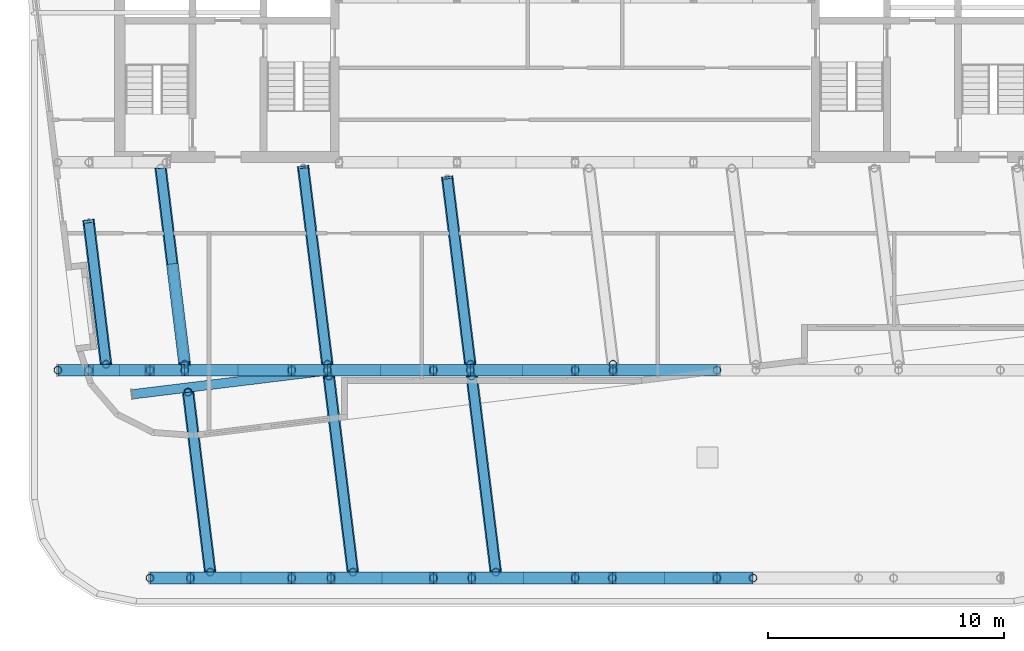
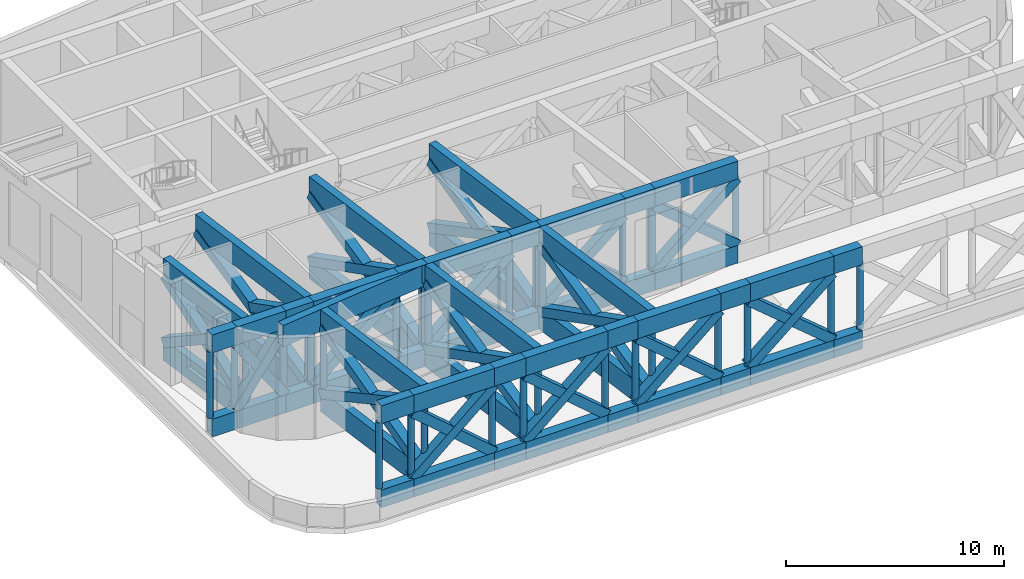
# One storey, part 1 of 16: 64 members, 53 beams.
"""IFC4 building model written with IfcOpenShell, lengths in metres."""

from ifc_helpers import new_model, si_unit, direction, frame, origin, origin_2d, place, context, subcontext, project, spatial, hollow_rectangle, hollow_circle, extrude, material, material_profile, profile_set, type_object, element, save


model = new_model("IFC4")

# Units and contexts
model_context = context("Model", 3, precision=1e-05, world=origin(), true_north=direction((0.0, 1.0)))
body_context = subcontext(model_context, "Body", "Model", "MODEL_VIEW")
ifc_project = project(units=[si_unit("LENGTHUNIT", "METRE"), si_unit("AREAUNIT", "SQUARE_METRE"), si_unit("VOLUMEUNIT", "CUBIC_METRE"), si_unit("PLANEANGLEUNIT", "RADIAN"), si_unit("MASSUNIT", "GRAM", prefix="KILO")], contexts=[model_context])

# Site, building, storey
site_placement = place(None, origin())
site = spatial("IfcSite", under=ifc_project, at=site_placement, CompositionType="ELEMENT")
building_placement = place(site_placement, origin())
building = spatial("IfcBuilding", under=site, at=building_placement, Name="Torana Hotel and Residences", CompositionType="ELEMENT")
storey_placement = place(building_placement, frame((0.0, 0.0, 308.60009765625)))
storey = spatial("IfcBuildingStorey", under=building, at=storey_placement, Name="L82", CompositionType="ELEMENT", Elevation=308.60009765625)

# Beams
ifc_material_1 = material(Name="Steel S355", Category="steel")
ifc_material_profile_1 = material_profile(ifc_material_1, hollow_rectangle(XDim=0.5, YDim=1.0, WallThickness=0.050048828125, at=origin_2d()), Name="BOX 1000x500x50")
ifc_profile_set_1 = profile_set([ifc_material_profile_1], Name="Steel S355")
beam_type_1 = type_object("IfcBeamType", Name="STEEL CHORD BOX 1000x500x50", PredefinedType="BEAM", material=ifc_profile_set_1)
for number, where, z_axis, x_axis, name in (
    (1, (-18.0, -32.60009765625, 0.5), (1.0, 0.0, 0.0), (0.0, 1.0, 0.0), "Transfer chord L82"),
    (2, (-18.0, -32.60009765625, 5.219970703125), (1.0, 0.0, 0.0), (0.0, 1.0, 0.0), "Transfer chord L82"),
):
    element("IfcBeam", number, at=place(storey_placement, frame(where, z_axis=z_axis, x_axis=x_axis)), inside=storey, type_object=beam_type_1, Name=name, PredefinedType="BEAM", context=body_context, shape_type="SweptSolid", body=[
        extrude(hollow_rectangle(XDim=0.5, YDim=1.0, WallThickness=0.050048828125, at=origin_2d()), origin(), (0.0, 0.0, 1.0), 1.7060546875),
    ])
for number, where, z_axis, x_axis, name in (
    (3, (-16.2939453125, -32.60009765625, 0.5), (1.0, 0.0, 0.0), (0.0, 1.0, 0.0), "Transfer chord L82"),
    (4, (-16.2939453125, -32.60009765625, 5.219970703125), (1.0, 0.0, 0.0), (0.0, 1.0, 0.0), "Transfer chord L82"),
):
    element("IfcBeam", number, at=place(storey_placement, frame(where, z_axis=z_axis, x_axis=x_axis)), inside=storey, type_object=beam_type_1, Name=name, PredefinedType="BEAM", context=body_context, shape_type="SweptSolid", body=[
        extrude(hollow_rectangle(XDim=0.5, YDim=1.0, WallThickness=0.050048828125, at=origin_2d()), origin(), (0.0, 0.0, 1.0), 4.2939453125),
    ])
for number, where, z_axis, x_axis, name in (
    (5, (-12.0, -32.60009765625, 0.5), (1.0, 0.0, 0.0), (0.0, 1.0, 0.0), "Transfer chord L82"),
    (6, (-12.0, -32.60009765625, 5.219970703125), (1.0, 0.0, 0.0), (0.0, 1.0, 0.0), "Transfer chord L82"),
):
    element("IfcBeam", number, at=place(storey_placement, frame(where, z_axis=z_axis, x_axis=x_axis)), inside=storey, type_object=beam_type_1, Name=name, PredefinedType="BEAM", context=body_context, shape_type="SweptSolid", body=[
        extrude(hollow_rectangle(XDim=0.5, YDim=1.0, WallThickness=0.050048828125, at=origin_2d()), origin(), (0.0, 0.0, 1.0), 1.662109375),
    ])
for number, where, z_axis, x_axis, name in (
    (7, (-10.337890625, -32.60009765625, 0.5), (1.0, 0.0, 0.0), (0.0, 1.0, 0.0), "Transfer chord L82"),
    (8, (-10.337890625, -32.60009765625, 5.219970703125), (1.0, 0.0, 0.0), (0.0, 1.0, 0.0), "Transfer chord L82"),
):
    element("IfcBeam", number, at=place(storey_placement, frame(where, z_axis=z_axis, x_axis=x_axis)), inside=storey, type_object=beam_type_1, Name=name, PredefinedType="BEAM", context=body_context, shape_type="SweptSolid", body=[
        extrude(hollow_rectangle(XDim=0.5, YDim=1.0, WallThickness=0.050048828125, at=origin_2d()), origin(), (0.0, 0.0, 1.0), 4.337890625),
    ])
for number, where, z_axis, x_axis, name in (
    (9, (-6.0, -32.60009765625, 0.5), (1.0, 0.0, 0.0), (0.0, 1.0, 0.0), "Transfer chord L82"),
    (10, (-6.0, -32.60009765625, 5.219970703125), (1.0, 0.0, 0.0), (0.0, 1.0, 0.0), "Transfer chord L82"),
):
    element("IfcBeam", number, at=place(storey_placement, frame(where, z_axis=z_axis, x_axis=x_axis)), inside=storey, type_object=beam_type_1, Name=name, PredefinedType="BEAM", context=body_context, shape_type="SweptSolid", body=[
        extrude(hollow_rectangle(XDim=0.5, YDim=1.0, WallThickness=0.050048828125, at=origin_2d()), origin(), (0.0, 0.0, 1.0), 1.616943359375),
    ])
for number, where, z_axis, x_axis, name in (
    (11, (-4.383056640625, -32.60009765625, 0.5), (1.0, 0.0, 0.0), (0.0, 1.0, 0.0), "Transfer chord L82"),
    (12, (-4.383056640625, -32.60009765625, 5.219970703125), (1.0, 0.0, 0.0), (0.0, 1.0, 0.0), "Transfer chord L82"),
):
    element("IfcBeam", number, at=place(storey_placement, frame(where, z_axis=z_axis, x_axis=x_axis)), inside=storey, type_object=beam_type_1, Name=name, PredefinedType="BEAM", context=body_context, shape_type="SweptSolid", body=[
        extrude(hollow_rectangle(XDim=0.5, YDim=1.0, WallThickness=0.050048828125, at=origin_2d()), origin(), (0.0, 0.0, 1.0), 4.383056640625),
    ])
for number, where, z_axis, x_axis, name in (
    (13, (0.0, -32.60009765625, 0.5), (1.0, 0.0, 0.0), (0.0, 1.0, 0.0), "Transfer chord L82"),
    (14, (0.0, -32.60009765625, 5.219970703125), (1.0, 0.0, 0.0), (0.0, 1.0, 0.0), "Transfer chord L82"),
):
    element("IfcBeam", number, at=place(storey_placement, frame(where, z_axis=z_axis, x_axis=x_axis)), inside=storey, type_object=beam_type_1, Name=name, PredefinedType="BEAM", context=body_context, shape_type="SweptSolid", body=[
        extrude(hollow_rectangle(XDim=0.5, YDim=1.0, WallThickness=0.050048828125, at=origin_2d()), origin(), (0.0, 0.0, 1.0), 1.572021484375),
    ])
for number, where, z_axis, x_axis, name in (
    (15, (1.572021484375, -32.60009765625, 0.5), (1.0, 0.0, 0.0), (0.0, 1.0, 0.0), "Transfer chord L82"),
    (16, (1.572021484375, -32.60009765625, 5.219970703125), (1.0, 0.0, 0.0), (0.0, 1.0, 0.0), "Transfer chord L82"),
):
    element("IfcBeam", number, at=place(storey_placement, frame(where, z_axis=z_axis, x_axis=x_axis)), inside=storey, type_object=beam_type_1, Name=name, PredefinedType="BEAM", context=body_context, shape_type="SweptSolid", body=[
        extrude(hollow_rectangle(XDim=0.5, YDim=1.0, WallThickness=0.050048828125, at=origin_2d()), origin(), (0.0, 0.0, 1.0), 4.427978515625),
    ])
for number, where, z_axis, x_axis, name in (
    (17, (6.0, -32.60009765625, 0.5), (1.0, 0.0, 0.0), (0.0, 1.0, 0.0), "Transfer chord L82"),
    (18, (6.0, -32.60009765625, 5.219970703125), (1.0, 0.0, 0.0), (0.0, 1.0, 0.0), "Transfer chord L82"),
):
    element("IfcBeam", number, at=place(storey_placement, frame(where, z_axis=z_axis, x_axis=x_axis)), inside=storey, type_object=beam_type_1, Name=name, PredefinedType="BEAM", context=body_context, shape_type="SweptSolid", body=[
        extrude(hollow_rectangle(XDim=0.5, YDim=1.0, WallThickness=0.050048828125, at=origin_2d()), origin(), (0.0, 0.0, 1.0), 1.527099609375),
    ])
for number, where, z_axis, x_axis, name in (
    (19, (-21.89990234375, -23.800048828125, 0.5), (1.0, 0.0, 0.0), (0.0, 1.0, 0.0), "Transfer chord L82"),
    (20, (-21.89990234375, -23.800048828125, 5.219970703125), (1.0, 0.0, 0.0), (0.0, 1.0, 0.0), "Transfer chord L82"),
):
    element("IfcBeam", number, at=place(storey_placement, frame(where, z_axis=z_axis, x_axis=x_axis)), inside=storey, type_object=beam_type_1, Name=name, PredefinedType="BEAM", context=body_context, shape_type="SweptSolid", body=[
        extrude(hollow_rectangle(XDim=0.5, YDim=1.0, WallThickness=0.050048828125, at=origin_2d()), origin(), (0.0, 0.0, 1.0), 1.306884765625),
    ])
for number, where, z_axis, x_axis, name in (
    (21, (-20.593017578125, -23.800048828125, 0.5), (1.0, 0.0, 0.0), (0.0, 1.0, 0.0), "Transfer chord L82"),
    (22, (-20.593017578125, -23.800048828125, 5.219970703125), (1.0, 0.0, 0.0), (0.0, 1.0, 0.0), "Transfer chord L82"),
):
    element("IfcBeam", number, at=place(storey_placement, frame(where, z_axis=z_axis, x_axis=x_axis)), inside=storey, type_object=beam_type_1, Name=name, PredefinedType="BEAM", context=body_context, shape_type="SweptSolid", body=[
        extrude(hollow_rectangle(XDim=0.5, YDim=1.0, WallThickness=0.050048828125, at=origin_2d()), origin(), (0.0, 0.0, 1.0), 2.593017578125),
    ])
for number, where, z_axis, x_axis, name in (
    (23, (-18.0, -23.800048828125, 0.5), (1.0, 0.0, 0.0), (0.0, 1.0, 0.0), "Transfer chord L82"),
    (24, (-18.0, -23.800048828125, 5.219970703125), (1.0, 0.0, 0.0), (0.0, 1.0, 0.0), "Transfer chord L82"),
):
    element("IfcBeam", number, at=place(storey_placement, frame(where, z_axis=z_axis, x_axis=x_axis)), inside=storey, type_object=beam_type_1, Name=name, PredefinedType="BEAM", context=body_context, shape_type="SweptSolid", body=[
        extrude(hollow_rectangle(XDim=0.5, YDim=1.0, WallThickness=0.050048828125, at=origin_2d()), origin(), (0.0, 0.0, 1.0), 1.468994140625),
    ])
for number, where, z_axis, x_axis, name in (
    (25, (-16.531005859375, -23.800048828125, 0.5), (1.0, 0.0, 0.0), (0.0, 1.0, 0.0), "Transfer chord L82"),
    (26, (-16.531005859375, -23.800048828125, 5.219970703125), (1.0, 0.0, 0.0), (0.0, 1.0, 0.0), "Transfer chord L82"),
):
    element("IfcBeam", number, at=place(storey_placement, frame(where, z_axis=z_axis, x_axis=x_axis)), inside=storey, type_object=beam_type_1, Name=name, PredefinedType="BEAM", context=body_context, shape_type="SweptSolid", body=[
        extrude(hollow_rectangle(XDim=0.5, YDim=1.0, WallThickness=0.050048828125, at=origin_2d()), origin(), (0.0, 0.0, 1.0), 4.531005859375),
    ])
for number, where, z_axis, x_axis, name in (
    (27, (-12.0, -23.800048828125, 0.5), (1.0, 0.0, 0.0), (0.0, 1.0, 0.0), "Transfer chord L82"),
    (28, (-12.0, -23.800048828125, 5.219970703125), (1.0, 0.0, 0.0), (0.0, 1.0, 0.0), "Transfer chord L82"),
):
    element("IfcBeam", number, at=place(storey_placement, frame(where, z_axis=z_axis, x_axis=x_axis)), inside=storey, type_object=beam_type_1, Name=name, PredefinedType="BEAM", context=body_context, shape_type="SweptSolid", body=[
        extrude(hollow_rectangle(XDim=0.5, YDim=1.0, WallThickness=0.050048828125, at=origin_2d()), origin(), (0.0, 0.0, 1.0), 1.509033203125),
    ])
for number, where, z_axis, x_axis, name in (
    (29, (-10.490966796875, -23.800048828125, 0.5), (1.0, 0.0, 0.0), (0.0, 1.0, 0.0), "Transfer chord L82"),
    (30, (-10.490966796875, -23.800048828125, 5.219970703125), (1.0, 0.0, 0.0), (0.0, 1.0, 0.0), "Transfer chord L82"),
):
    element("IfcBeam", number, at=place(storey_placement, frame(where, z_axis=z_axis, x_axis=x_axis)), inside=storey, type_object=beam_type_1, Name=name, PredefinedType="BEAM", context=body_context, shape_type="SweptSolid", body=[
        extrude(hollow_rectangle(XDim=0.5, YDim=1.0, WallThickness=0.050048828125, at=origin_2d()), origin(), (0.0, 0.0, 1.0), 4.490966796875),
    ])
for number, where, z_axis, x_axis, name in (
    (31, (-6.0, -23.800048828125, 0.5), (1.0, 0.0, 0.0), (0.0, 1.0, 0.0), "Transfer chord L82"),
    (32, (-6.0, -23.800048828125, 5.219970703125), (1.0, 0.0, 0.0), (0.0, 1.0, 0.0), "Transfer chord L82"),
):
    element("IfcBeam", number, at=place(storey_placement, frame(where, z_axis=z_axis, x_axis=x_axis)), inside=storey, type_object=beam_type_1, Name=name, PredefinedType="BEAM", context=body_context, shape_type="SweptSolid", body=[
        extrude(hollow_rectangle(XDim=0.5, YDim=1.0, WallThickness=0.050048828125, at=origin_2d()), origin(), (0.0, 0.0, 1.0), 1.55908203125),
    ])
for number, where, z_axis, x_axis, name in (
    (33, (-4.44091796875, -23.800048828125, 0.5), (1.0, 0.0, 0.0), (0.0, 1.0, 0.0), "Transfer chord L82"),
    (34, (-4.44091796875, -23.800048828125, 5.219970703125), (1.0, 0.0, 0.0), (0.0, 1.0, 0.0), "Transfer chord L82"),
):
    element("IfcBeam", number, at=place(storey_placement, frame(where, z_axis=z_axis, x_axis=x_axis)), inside=storey, type_object=beam_type_1, Name=name, PredefinedType="BEAM", context=body_context, shape_type="SweptSolid", body=[
        extrude(hollow_rectangle(XDim=0.5, YDim=1.0, WallThickness=0.050048828125, at=origin_2d()), origin(), (0.0, 0.0, 1.0), 4.44091796875),
    ])
for number, where, z_axis, x_axis, name in (
    (35, (0.0, -23.800048828125, 0.5), (1.0, 0.0, 0.0), (0.0, 1.0, 0.0), "Transfer chord L82"),
    (36, (0.0, -23.800048828125, 5.219970703125), (1.0, 0.0, 0.0), (0.0, 1.0, 0.0), "Transfer chord L82"),
):
    element("IfcBeam", number, at=place(storey_placement, frame(where, z_axis=z_axis, x_axis=x_axis)), inside=storey, type_object=beam_type_1, Name=name, PredefinedType="BEAM", context=body_context, shape_type="SweptSolid", body=[
        extrude(hollow_rectangle(XDim=0.5, YDim=1.0, WallThickness=0.050048828125, at=origin_2d()), origin(), (0.0, 0.0, 1.0), 1.59912109375),
    ])
for number, where, z_axis, x_axis, name in (
    (37, (1.59912109375, -23.800048828125, 0.5), (1.0, 0.0, 0.0), (0.0, 1.0, 0.0), "Transfer chord L82"),
    (38, (1.59912109375, -23.800048828125, 5.219970703125), (1.0, 0.0, 0.0), (0.0, 1.0, 0.0), "Transfer chord L82"),
):
    element("IfcBeam", number, at=place(storey_placement, frame(where, z_axis=z_axis, x_axis=x_axis)), inside=storey, type_object=beam_type_1, Name=name, PredefinedType="BEAM", context=body_context, shape_type="SweptSolid", body=[
        extrude(hollow_rectangle(XDim=0.5, YDim=1.0, WallThickness=0.050048828125, at=origin_2d()), origin(), (0.0, 0.0, 1.0), 4.40087890625),
    ])
ifc_material_2 = material(Name="Steel S355", Category="steel")
ifc_material_profile_2 = material_profile(ifc_material_2, hollow_rectangle(XDim=0.39990234375, YDim=1.199951171875, WallThickness=0.0400390625, at=origin_2d()), Name="BOX 1200x400x40")
ifc_profile_set_2 = profile_set([ifc_material_profile_2], Name="Steel S355")
beam_type_2 = type_object("IfcBeamType", Name="STEEL CHORD BOX 1200x400x40", PredefinedType="BEAM", material=ifc_profile_set_2)
for number, where, z_axis, x_axis, name in (
    (39, (-19.860107421875, -23.550048828125, 0.599853515625), (-0.120971726112, 0.992655953229, 0.0), (-0.992655953229, -0.120971726112, 0.0), "Transfer chord L82"),
    (40, (-19.860107421875, -23.550048828125, 5.119873046875), (-0.120971726112, 0.992655953229, 0.0), (-0.992655953229, -0.120971726112, 0.0), "Transfer chord L82"),
):
    element("IfcBeam", number, at=place(storey_placement, frame(where, z_axis=z_axis, x_axis=x_axis)), inside=storey, type_object=beam_type_2, Name=name, PredefinedType="BEAM", context=body_context, shape_type="SweptSolid", body=[
        extrude(hollow_rectangle(XDim=0.39990234375, YDim=1.199951171875, WallThickness=0.0400390625, at=origin_2d()), origin(), (0.0, 0.0, 1.0), 6.034423828125),
    ])
for number, where, z_axis, x_axis, name in (
    (41, (-15.450927734375, -32.35009765625, 0.599853515625), (-0.121751053771, 0.992560668627, 0.0), (-0.992560668627, -0.121751053771, 0.0), "Transfer chord L82"),
    (42, (-15.450927734375, -32.35009765625, 5.119873046875), (-0.121751053771, 0.992560668627, 0.0), (-0.992560668627, -0.121751053771, 0.0), "Transfer chord L82"),
):
    element("IfcBeam", number, at=place(storey_placement, frame(where, z_axis=z_axis, x_axis=x_axis)), inside=storey, type_object=beam_type_2, Name=name, PredefinedType="BEAM", context=body_context, shape_type="SweptSolid", body=[
        extrude(hollow_rectangle(XDim=0.39990234375, YDim=1.199951171875, WallThickness=0.0400390625, at=origin_2d()), origin(), (0.0, 0.0, 1.0), 7.672119140625),
    ])
for number, where, z_axis, x_axis, name in (
    (43, (-16.531005859375, -23.550048828125, 0.599853515625), (-0.121745472917, 0.992561353179, 0.0), (-0.992561353179, -0.121745472917, 0.0), "Transfer chord L82"),
    (44, (-16.531005859375, -23.550048828125, 5.119873046875), (-0.121745472917, 0.992561353179, 0.0), (-0.992561353179, -0.121745472917, 0.0), "Transfer chord L82"),
    (45, (-9.410888671875, -32.35009765625, 0.599853515625), (-0.121745472917, 0.992561353179, 0.0), (-0.992561353179, -0.121745472917, 0.0), "Transfer chord L82"),
    (46, (-9.410888671875, -32.35009765625, 5.119873046875), (-0.121745472917, 0.992561353179, 0.0), (-0.992561353179, -0.121745472917, 0.0), "Transfer chord L82"),
    (47, (-10.490966796875, -23.550048828125, 0.599853515625), (-0.121745472917, 0.992561353179, 0.0), (-0.992561353179, -0.121745472917, 0.0), "Transfer chord L82"),
    (48, (-10.490966796875, -23.550048828125, 5.119873046875), (-0.121745472917, 0.992561353179, 0.0), (-0.992561353179, -0.121745472917, 0.0), "Transfer chord L82"),
    (49, (-3.361083984375, -32.35009765625, 0.599853515625), (-0.121716709942, 0.992564880761, 0.0), (-0.992564880761, -0.121716709942, 0.0), "Transfer chord L82"),
    (50, (-3.361083984375, -32.35009765625, 5.119873046875), (-0.121716709942, 0.992564880761, 0.0), (-0.992564880761, -0.121716709942, 0.0), "Transfer chord L82"),
):
    element("IfcBeam", number, at=place(storey_placement, frame(where, z_axis=z_axis, x_axis=x_axis)), inside=storey, type_object=beam_type_2, Name=name, PredefinedType="BEAM", context=body_context, shape_type="SweptSolid", body=[
        extrude(hollow_rectangle(XDim=0.39990234375, YDim=1.199951171875, WallThickness=0.0400390625, at=origin_2d()), origin(), (0.0, 0.0, 1.0), 8.3623046875),
    ])
for number, where, z_axis, x_axis, name in (
    (51, (-4.44091796875, -23.550048828125, 0.599853515625), (-0.122507429549, 0.9924675963, 0.0), (-0.9924675963, -0.122507429549, 0.0), "Transfer chord L82"),
    (52, (-4.44091796875, -23.550048828125, 5.119873046875), (-0.122507429549, 0.9924675963, 0.0), (-0.9924675963, -0.122507429549, 0.0), "Transfer chord L82"),
):
    element("IfcBeam", number, at=place(storey_placement, frame(where, z_axis=z_axis, x_axis=x_axis)), inside=storey, type_object=beam_type_2, Name=name, PredefinedType="BEAM", context=body_context, shape_type="SweptSolid", body=[
        extrude(hollow_rectangle(XDim=0.39990234375, YDim=1.199951171875, WallThickness=0.0400390625, at=origin_2d()), origin(), (0.0, 0.0, 1.0), 7.90966796875),
    ])
beam_placement = place(storey_placement, frame((-18.72998046875, -24.820068359375, 5.119873046875), z_axis=(0.992624649094, 0.121228321819, 0.0), x_axis=(-0.121228321819, 0.992624649094, 0.0)))
element("IfcBeam", 53, at=beam_placement, inside=storey, type_object=beam_type_2, Name="Transfer link L82", PredefinedType="BEAM", context=body_context, shape_type="SweptSolid", body=[
    extrude(hollow_rectangle(XDim=0.39990234375, YDim=1.199951171875, WallThickness=0.0400390625, at=origin_2d()), origin(), (0.0, 0.0, 1.0), 8.33154296875),
])

# Members
ifc_material_3 = material(Name="Steel S355", Category="steel")
ifc_material_profile_3 = material_profile(ifc_material_3, hollow_rectangle(XDim=0.5, YDim=0.5, WallThickness=0.0400390625, at=origin_2d()), Name="BOX 500x500x40")
ifc_profile_set_3 = profile_set([ifc_material_profile_3], Name="Steel S355")
member_type_1 = type_object("IfcMemberType", Name="STEEL DIAGONAL BOX 500x500x40", PredefinedType="BRACE", material=ifc_profile_set_3)
for number, where, z_axis, x_axis, name in (
    (54, (-16.2939453125, -32.60009765625, 1.0), (0.755815262073, 0.0, 0.654784918593), (0.0, 1.0, 0.0), "Truss diagonal L82"),
    (55, (-12.0, -32.60009765625, 1.0), (-0.755815262073, 0.0, 0.654784918593), (0.0, -1.0, 0.0), "Truss diagonal L82"),
):
    element("IfcMember", number, at=place(storey_placement, frame(where, z_axis=z_axis, x_axis=x_axis)), inside=storey, type_object=member_type_1, Name=name, PredefinedType="BRACE", context=body_context, shape_type="SweptSolid", body=[
        extrude(hollow_rectangle(XDim=0.5, YDim=0.5, WallThickness=0.0400390625, at=origin_2d()), origin(), (0.0, 0.0, 1.0), 5.68115234375),
    ])
for number, where, z_axis, x_axis, name in (
    (56, (-10.337890625, -32.60009765625, 1.0), (0.759102778258, 0.0, 0.650970792003), (0.0, 1.0, 0.0), "Truss diagonal L82"),
    (57, (-6.0, -32.60009765625, 1.0), (-0.759102778258, 0.0, 0.650970792003), (0.0, -1.0, 0.0), "Truss diagonal L82"),
):
    element("IfcMember", number, at=place(storey_placement, frame(where, z_axis=z_axis, x_axis=x_axis)), inside=storey, type_object=member_type_1, Name=name, PredefinedType="BRACE", context=body_context, shape_type="SweptSolid", body=[
        extrude(hollow_rectangle(XDim=0.5, YDim=0.5, WallThickness=0.0400390625, at=origin_2d()), origin(), (0.0, 0.0, 1.0), 5.714599609375),
    ])
for number, where, z_axis, x_axis, name in (
    (58, (-4.383056640625, -32.60009765625, 1.0), (0.762422152509, 0.0, 0.647079949746), (0.0, 1.0, 0.0), "Truss diagonal L82"),
    (59, (0.0, -32.60009765625, 1.0), (-0.762422152509, 0.0, 0.647079949746), (0.0, -1.0, 0.0), "Truss diagonal L82"),
):
    element("IfcMember", number, at=place(storey_placement, frame(where, z_axis=z_axis, x_axis=x_axis)), inside=storey, type_object=member_type_1, Name=name, PredefinedType="BRACE", context=body_context, shape_type="SweptSolid", body=[
        extrude(hollow_rectangle(XDim=0.5, YDim=0.5, WallThickness=0.0400390625, at=origin_2d()), origin(), (0.0, 0.0, 1.0), 5.748779296875),
    ])
for number, where, z_axis, x_axis, name in (
    (60, (1.572021484375, -32.60009765625, 1.0), (0.765664944592, 0.0, 0.643239607474), (0.0, 1.0, 0.0), "Truss diagonal L82"),
    (61, (6.0, -32.60009765625, 1.0), (-0.765664944592, 0.0, 0.643239607474), (0.0, -1.0, 0.0), "Truss diagonal L82"),
):
    element("IfcMember", number, at=place(storey_placement, frame(where, z_axis=z_axis, x_axis=x_axis)), inside=storey, type_object=member_type_1, Name=name, PredefinedType="BRACE", context=body_context, shape_type="SweptSolid", body=[
        extrude(hollow_rectangle(XDim=0.5, YDim=0.5, WallThickness=0.0400390625, at=origin_2d()), origin(), (0.0, 0.0, 1.0), 5.783203125),
    ])
for number, where, z_axis, x_axis, name in (
    (62, (-20.593017578125, -23.800048828125, 1.0), (0.571838781168, 0.0, 0.820366020964), (0.0, 1.0, 0.0), "Truss diagonal L82"),
    (63, (-18.0, -23.800048828125, 1.0), (-0.571838781168, 0.0, 0.820366020964), (0.0, -1.0, 0.0), "Truss diagonal L82"),
):
    element("IfcMember", number, at=place(storey_placement, frame(where, z_axis=z_axis, x_axis=x_axis)), inside=storey, type_object=member_type_1, Name=name, PredefinedType="BRACE", context=body_context, shape_type="SweptSolid", body=[
        extrude(hollow_rectangle(XDim=0.5, YDim=0.5, WallThickness=0.0400390625, at=origin_2d()), origin(), (0.0, 0.0, 1.0), 4.534423828125),
    ])
for number, where, z_axis, x_axis, name in (
    (64, (-16.531005859375, -23.800048828125, 1.0), (0.772887448913, 0.0, 0.634543135896), (0.0, 1.0, 0.0), "Truss diagonal L82"),
    (65, (-12.0, -23.800048828125, 1.0), (-0.772887448913, 0.0, 0.634543135896), (0.0, -1.0, 0.0), "Truss diagonal L82"),
):
    element("IfcMember", number, at=place(storey_placement, frame(where, z_axis=z_axis, x_axis=x_axis)), inside=storey, type_object=member_type_1, Name=name, PredefinedType="BRACE", context=body_context, shape_type="SweptSolid", body=[
        extrude(hollow_rectangle(XDim=0.5, YDim=0.5, WallThickness=0.0400390625, at=origin_2d()), origin(), (0.0, 0.0, 1.0), 5.862548828125),
    ])
for number, where, z_axis, x_axis, name in (
    (66, (-10.490966796875, -23.800048828125, 1.0), (0.770115577639, 0.0, 0.63790437926), (0.0, 1.0, 0.0), "Truss diagonal L82"),
    (67, (-6.0, -23.800048828125, 1.0), (-0.770115577639, 0.0, 0.63790437926), (0.0, -1.0, 0.0), "Truss diagonal L82"),
):
    element("IfcMember", number, at=place(storey_placement, frame(where, z_axis=z_axis, x_axis=x_axis)), inside=storey, type_object=member_type_1, Name=name, PredefinedType="BRACE", context=body_context, shape_type="SweptSolid", body=[
        extrude(hollow_rectangle(XDim=0.5, YDim=0.5, WallThickness=0.0400390625, at=origin_2d()), origin(), (0.0, 0.0, 1.0), 5.83154296875),
    ])
for number, where, z_axis, x_axis, name in (
    (68, (-4.44091796875, -23.800048828125, 1.0), (0.76658832234, 0.0, 0.642138882215), (0.0, 1.0, 0.0), "Truss diagonal L82"),
    (69, (0.0, -23.800048828125, 1.0), (-0.76658832234, 0.0, 0.642138882215), (0.0, -1.0, 0.0), "Truss diagonal L82"),
):
    element("IfcMember", number, at=place(storey_placement, frame(where, z_axis=z_axis, x_axis=x_axis)), inside=storey, type_object=member_type_1, Name=name, PredefinedType="BRACE", context=body_context, shape_type="SweptSolid", body=[
        extrude(hollow_rectangle(XDim=0.5, YDim=0.5, WallThickness=0.0400390625, at=origin_2d()), origin(), (0.0, 0.0, 1.0), 5.793212890625),
    ])
for number, where, z_axis, x_axis, name in (
    (70, (1.59912109375, -23.800048828125, 1.0), (0.76371562952, 0.0, 0.645552815211), (0.0, 1.0, 0.0), "Truss diagonal L82"),
    (71, (6.0, -23.800048828125, 1.0), (-0.76371562952, 0.0, 0.645552815211), (0.0, -1.0, 0.0), "Truss diagonal L82"),
):
    element("IfcMember", number, at=place(storey_placement, frame(where, z_axis=z_axis, x_axis=x_axis)), inside=storey, type_object=member_type_1, Name=name, PredefinedType="BRACE", context=body_context, shape_type="SweptSolid", body=[
        extrude(hollow_rectangle(XDim=0.5, YDim=0.5, WallThickness=0.0400390625, at=origin_2d()), origin(), (0.0, 0.0, 1.0), 5.762451171875),
    ])
for number, where, z_axis, x_axis, name in (
    (72, (-19.860107421875, -23.550048828125, 1.0), (-0.102976642596, 0.844993955219, 0.524767593058), (-0.992655953229, -0.120971726112, 0.0), "Truss diagonal L82"),
    (73, (-20.590087890625, -17.56005859375, 1.0), (0.102976642596, -0.844993955219, 0.524767593058), (0.992655953229, 0.120971726112, 0.0), "Truss diagonal L82"),
):
    element("IfcMember", number, at=place(storey_placement, frame(where, z_axis=z_axis, x_axis=x_axis)), inside=storey, type_object=member_type_1, Name=name, PredefinedType="BRACE", context=body_context, shape_type="SweptSolid", body=[
        extrude(hollow_rectangle(XDim=0.5, YDim=0.5, WallThickness=0.0400390625, at=origin_2d()), origin(), (0.0, 0.0, 1.0), 7.0888671875),
    ])
for number, where, z_axis, x_axis, name in (
    (74, (-15.450927734375, -32.35009765625, 1.0), (-0.109552298421, 0.893111798235, 0.436290739948), (-0.992560668627, -0.121751053771, 0.0), "Truss diagonal L82"),
    (75, (-16.385009765625, -24.735107421875, 1.0), (0.109552298421, -0.893111798235, 0.436290739948), (0.992560668627, 0.121751053771, 0.0), "Truss diagonal L82"),
):
    element("IfcMember", number, at=place(storey_placement, frame(where, z_axis=z_axis, x_axis=x_axis)), inside=storey, type_object=member_type_1, Name=name, PredefinedType="BRACE", context=body_context, shape_type="SweptSolid", body=[
        extrude(hollow_rectangle(XDim=0.5, YDim=0.5, WallThickness=0.0400390625, at=origin_2d()), origin(), (0.0, 0.0, 1.0), 8.5263671875),
    ])
member_1_placement = place(storey_placement, frame((-16.531005859375, -23.550048828125, 1.0), z_axis=(-0.111235558427, 0.906876565908, 0.406449928957), x_axis=(-0.992561353179, -0.121745472917, 0.0)))
element("IfcMember", 76, at=member_1_placement, inside=storey, type_object=member_type_1, Name="Truss diagonal L82", PredefinedType="BRACE", context=body_context, shape_type="SweptSolid", body=[
    extrude(hollow_rectangle(XDim=0.5, YDim=0.5, WallThickness=0.0400390625, at=origin_2d()), origin(), (0.0, 0.0, 1.0), 9.15234375),
])
member_2_placement = place(storey_placement, frame((-17.0400390625, -19.39990234375, 2.85986328125), z_axis=(0.111231661611, -0.906871470368, 0.406462364418), x_axis=(0.992561785895, 0.121741945032, 0.0)))
element("IfcMember", 77, at=member_2_placement, inside=storey, type_object=member_type_1, Name="Truss diagonal L82", PredefinedType="BRACE", context=body_context, shape_type="SweptSolid", body=[
    extrude(hollow_rectangle(XDim=0.5, YDim=0.5, WallThickness=0.0400390625, at=origin_2d()), origin(), (0.0, 0.0, 1.0), 4.576416015625),
])
for number, where, z_axis, x_axis, name in (
    (78, (-9.410888671875, -32.35009765625, 1.0), (-0.111235558427, 0.906876565908, 0.406449928957), (-0.992561353179, -0.121745472917, 0.0), "Truss diagonal L82"),
    (79, (-10.428955078125, -24.050048828125, 1.0), (0.111235558427, -0.906876565908, 0.406449928957), (0.992561353179, 0.121745472917, 0.0), "Truss diagonal L82"),
    (80, (-10.490966796875, -23.550048828125, 1.0), (-0.111235558427, 0.906876565908, 0.406449928957), (-0.992561353179, -0.121745472917, 0.0), "Truss diagonal L82"),
    (81, (-11.509033203125, -15.25, 1.0), (0.111235558427, -0.906876565908, 0.406449928957), (0.992561353179, 0.121745472917, 0.0), "Truss diagonal L82"),
    (82, (-3.361083984375, -32.35009765625, 1.0), (-0.111209213177, 0.906879256509, 0.406451134848), (-0.992564880761, -0.121716709942, 0.0), "Truss diagonal L82"),
    (83, (-4.37890625, -24.050048828125, 1.0), (0.111209213177, -0.906879256509, 0.406451134848), (0.992564880761, 0.121716709942, 0.0), "Truss diagonal L82"),
):
    element("IfcMember", number, at=place(storey_placement, frame(where, z_axis=z_axis, x_axis=x_axis)), inside=storey, type_object=member_type_1, Name=name, PredefinedType="BRACE", context=body_context, shape_type="SweptSolid", body=[
        extrude(hollow_rectangle(XDim=0.5, YDim=0.5, WallThickness=0.0400390625, at=origin_2d()), origin(), (0.0, 0.0, 1.0), 9.15234375),
    ])
for number, where, z_axis, x_axis, name in (
    (84, (-4.44091796875, -23.550048828125, 1.0), (-0.110859052085, 0.898100771162, 0.425588152336), (-0.9924675963, -0.122507429549, 0.0), "Truss diagonal L82"),
    (85, (-5.409912109375, -15.699951171875, 1.0), (0.110859052085, -0.898100771162, 0.425588152336), (0.9924675963, 0.122507429549, 0.0), "Truss diagonal L82"),
):
    element("IfcMember", number, at=place(storey_placement, frame(where, z_axis=z_axis, x_axis=x_axis)), inside=storey, type_object=member_type_1, Name=name, PredefinedType="BRACE", context=body_context, shape_type="SweptSolid", body=[
        extrude(hollow_rectangle(XDim=0.5, YDim=0.5, WallThickness=0.0400390625, at=origin_2d()), origin(), (0.0, 0.0, 1.0), 8.74072265625),
    ])
ifc_material_4 = material(Name="Steel S355", Category="steel")
ifc_material_profile_4 = material_profile(ifc_material_4, hollow_circle(Radius=0.161865234375, WallThickness=0.012451171875, at=origin_2d()), Name="323.9x12.5 CHS")
ifc_profile_set_4 = profile_set([ifc_material_profile_4], Name="Steel S355")
member_type_2 = type_object("IfcMemberType", Name="STEEL POST 323.9x12.5 CHS", PredefinedType="POST", material=ifc_profile_set_4)
for number, where, z_axis, x_axis, name in (
    (86, (-18.0, -32.60009765625, 1.0), (0.0, 0.0, 1.0), (1.0, 0.0, 0.0), "Truss post L82"),
    (87, (-16.2900390625, -32.60009765625, 1.0), (0.0, 0.0, 1.0), (1.0, 0.0, 0.0), "Truss post L82"),
    (88, (-12.0, -32.60009765625, 1.0), (0.0, 0.0, 1.0), (1.0, 0.0, 0.0), "Truss post L82"),
    (89, (-10.340087890625, -32.60009765625, 1.0), (0.0, 0.0, 1.0), (1.0, 0.0, 0.0), "Truss post L82"),
    (90, (-6.0, -32.60009765625, 1.0), (0.0, 0.0, 1.0), (1.0, 0.0, 0.0), "Truss post L82"),
    (91, (-4.3798828125, -32.60009765625, 1.0), (0.0, 0.0, 1.0), (1.0, 0.0, 0.0), "Truss post L82"),
    (92, (0.0, -32.60009765625, 1.0), (0.0, 0.0, 1.0), (1.0, 0.0, 0.0), "Truss post L82"),
    (93, (1.570068359375, -32.60009765625, 1.0), (0.0, 0.0, 1.0), (1.0, 0.0, 0.0), "Truss post L82"),
    (94, (6.0, -32.60009765625, 1.0), (0.0, 0.0, 1.0), (1.0, 0.0, 0.0), "Truss post L82"),
    (95, (7.530029296875, -32.60009765625, 1.0), (0.0, 0.0, 1.0), (1.0, 0.0, 0.0), "Truss post L82"),
    (96, (-21.89990234375, -23.800048828125, 1.0), (0.0, 0.0, 1.0), (1.0, 0.0, 0.0), "Truss post L82"),
    (97, (-20.590087890625, -23.800048828125, 1.0), (0.0, 0.0, 1.0), (1.0, 0.0, 0.0), "Truss post L82"),
    (98, (-18.0, -23.800048828125, 1.0), (0.0, 0.0, 1.0), (1.0, 0.0, 0.0), "Truss post L82"),
    (99, (-16.530029296875, -23.800048828125, 1.0), (0.0, 0.0, 1.0), (1.0, 0.0, 0.0), "Truss post L82"),
    (100, (-12.0, -23.800048828125, 1.0), (0.0, 0.0, 1.0), (1.0, 0.0, 0.0), "Truss post L82"),
    (101, (-10.489990234375, -23.800048828125, 1.0), (0.0, 0.0, 1.0), (1.0, 0.0, 0.0), "Truss post L82"),
    (102, (-6.0, -23.800048828125, 1.0), (0.0, 0.0, 1.0), (1.0, 0.0, 0.0), "Truss post L82"),
    (103, (-4.43994140625, -23.800048828125, 1.0), (0.0, 0.0, 1.0), (1.0, 0.0, 0.0), "Truss post L82"),
    (104, (0.0, -23.800048828125, 1.0), (0.0, 0.0, 1.0), (1.0, 0.0, 0.0), "Truss post L82"),
    (105, (1.60009765625, -23.800048828125, 1.0), (0.0, 0.0, 1.0), (1.0, 0.0, 0.0), "Truss post L82"),
    (106, (6.0, -23.800048828125, 1.0), (0.0, 0.0, 1.0), (1.0, 0.0, 0.0), "Truss post L82"),
    (107, (-19.860107421875, -23.550048828125, 1.0), (0.0, 0.0, 1.0), (1.0, 0.0, 0.0), "Truss post L82"),
    (108, (-15.449951171875, -32.35009765625, 1.0), (0.0, 0.0, 1.0), (1.0, 0.0, 0.0), "Truss post L82"),
    (109, (-16.389892578125, -24.72998046875, 1.0), (0.0, 0.0, 1.0), (1.0, 0.0, 0.0), "Truss post L82"),
    (110, (-16.530029296875, -23.550048828125, 1.0), (0.0, 0.0, 1.0), (1.0, 0.0, 0.0), "Truss post L82"),
    (111, (-9.409912109375, -32.35009765625, 1.0), (0.0, 0.0, 1.0), (1.0, 0.0, 0.0), "Truss post L82"),
    (112, (-10.429931640625, -24.050048828125, 1.0), (0.0, 0.0, 1.0), (1.0, 0.0, 0.0), "Truss post L82"),
    (113, (-10.489990234375, -23.550048828125, 1.0), (0.0, 0.0, 1.0), (1.0, 0.0, 0.0), "Truss post L82"),
    (114, (-3.360107421875, -32.35009765625, 1.0), (0.0, 0.0, 1.0), (1.0, 0.0, 0.0), "Truss post L82"),
    (115, (-4.3798828125, -24.050048828125, 1.0), (0.0, 0.0, 1.0), (1.0, 0.0, 0.0), "Truss post L82"),
    (116, (-4.43994140625, -23.550048828125, 1.0), (0.0, 0.0, 1.0), (1.0, 0.0, 0.0), "Truss post L82"),
    (117, (1.60009765625, -23.550048828125, 1.0), (0.0, 0.0, 1.0), (1.0, 0.0, 0.0), "Truss post L82"),
):
    element("IfcMember", number, at=place(storey_placement, frame(where, z_axis=z_axis, x_axis=x_axis)), inside=storey, type_object=member_type_2, Name=name, PredefinedType="POST", context=body_context, shape_type="SweptSolid", body=[
        extrude(hollow_circle(Radius=0.161865234375, WallThickness=0.012451171875, at=origin_2d()), origin(), (0.0, 0.0, 1.0), 3.719970703125),
    ])

save(model, "model.ifc")
